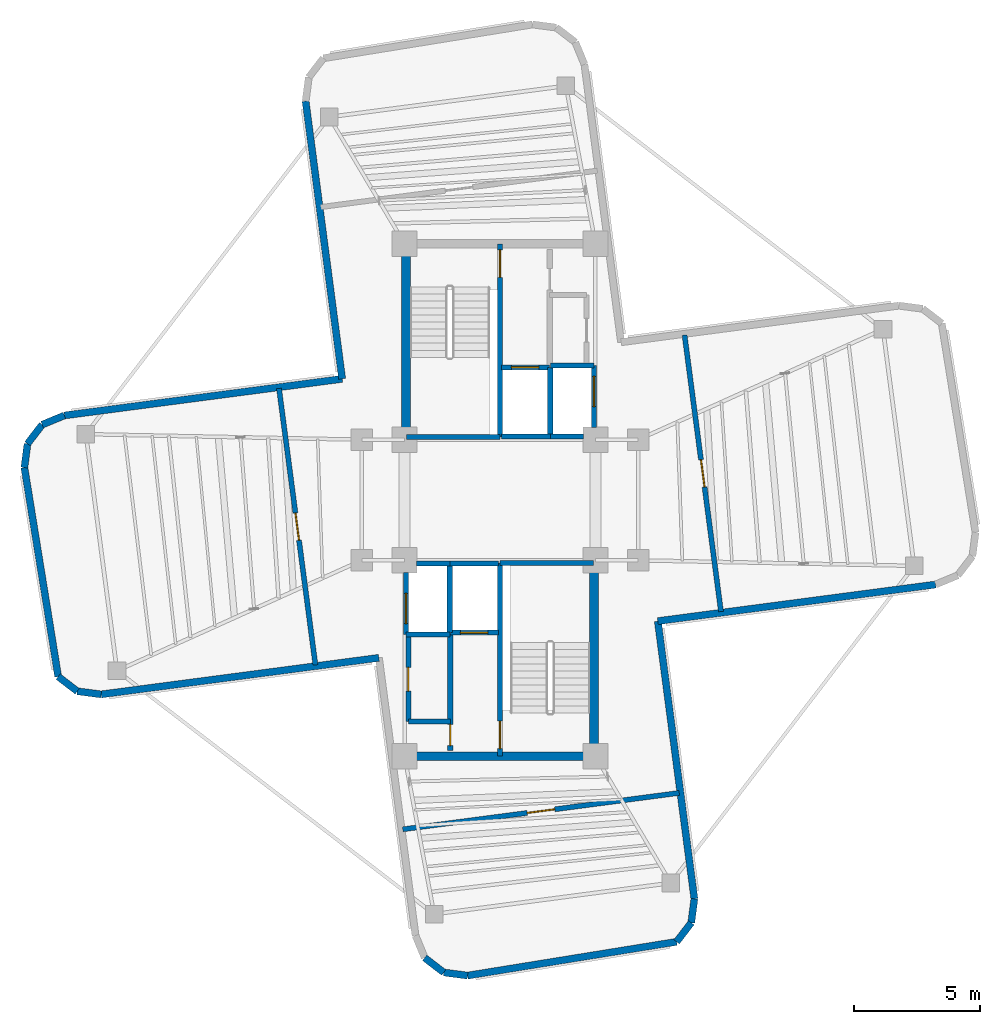
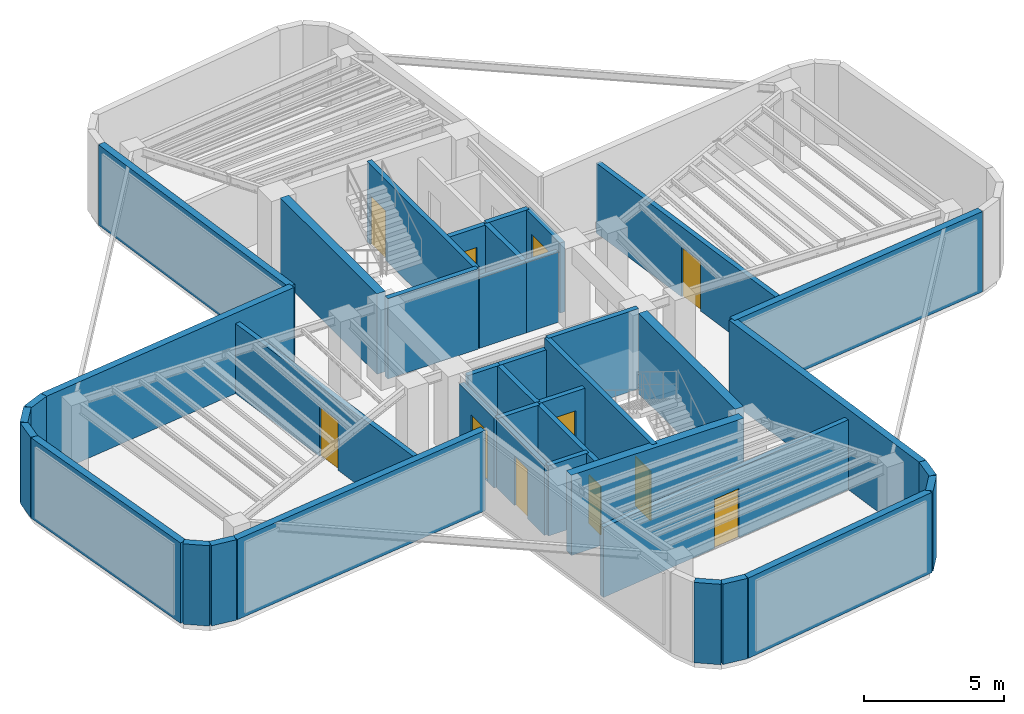
# One storey, part 4 of 6: 41 walls, 11 doors, 11 openings.
"""IFC4 building model written with IfcOpenShell, lengths in metres."""

import ifcopenshell
import ifcopenshell.guid

model = None  # the IFC model being written
_history = None  # IfcOwnerHistory: only IFC2X3 demands one
_inside = {}  # id of a spatial element -> (the spatial element, [elements in it])
_under = {}  # id of a project, library or spatial element -> (it, [spatial elements below it])
_declared = {}  # id of a project -> (the project, [libraries it declares])
_typed = {}  # id of a type object -> (the type object, [elements of that type])
_made_of = {}  # id of a material, layer set ... -> (it, [elements and type objects made of it])


def new_model(schema):
    """Start an empty IFC model of exactly this schema.

    Asked for "IFC4X3", IfcOpenShell would pick the latest addendum, in which some entities
    have other attributes; the version numbers below select the first issue.
    IFC2X3 requires an IfcOwnerHistory on every rooted entity: one is made here for all.
    """
    global model, _history
    if schema == "IFC4X3":
        model = ifcopenshell.file(schema_version=(4, 3, 0, 0))
    else:
        model = ifcopenshell.file(schema=schema)
    _inside.clear()
    _under.clear()
    _declared.clear()
    _typed.clear()
    _made_of.clear()
    _history = None
    if model.schema == "IFC2X3":
        org = make("IfcOrganization", Name="unknown")
        user = make(
            "IfcPersonAndOrganization",
            ThePerson=make("IfcPerson", FamilyName="unknown"),
            TheOrganization=org,
        )
        app = make(
            "IfcApplication",
            ApplicationDeveloper=org,
            Version="unknown",
            ApplicationFullName="unknown",
            ApplicationIdentifier="unknown",
        )
        _history = make(
            "IfcOwnerHistory",
            OwningUser=user,
            OwningApplication=app,
            ChangeAction="ADDED",
            CreationDate=0,
        )
    return model


def make(cls, **values):
    """One entity of the class cls with the attributes given. An attribute that is None is left unset."""
    return model.create_entity(
        cls, **{name: value for name, value in values.items() if value is not None}
    )


def rooted(cls, **values):
    """An entity with a GlobalId (a new one), such as an element, a storey or a relation."""
    return make(cls, GlobalId=ifcopenshell.guid.new(), OwnerHistory=_history, **values)


def si_unit(unit_type, name, prefix=None):
    """IfcSIUnit, for example si_unit("LENGTHUNIT", "METRE", prefix="MILLI")."""
    return make("IfcSIUnit", UnitType=unit_type, Prefix=prefix, Name=name)


def assignment(units):
    """IfcUnitAssignment: the units of a project."""
    return None if units is None else make("IfcUnitAssignment", Units=units)


def point(xyz):
    """IfcCartesianPoint."""
    return None if xyz is None else make("IfcCartesianPoint", Coordinates=xyz)


def direction(xyz):
    """IfcDirection."""
    return None if xyz is None else make("IfcDirection", DirectionRatios=xyz)


def frame(location, z_axis=None, x_axis=None):
    """IfcAxis2Placement3D, a coordinate frame: its origin and axes. An axis left out is left unset."""
    return make(
        "IfcAxis2Placement3D",
        Location=point(location),
        Axis=direction(z_axis),
        RefDirection=direction(x_axis),
    )


def frame_2d(location, x_axis=None):
    """IfcAxis2Placement2D, a coordinate frame in the plane: its origin and x axis."""
    return make(
        "IfcAxis2Placement2D", Location=point(location), RefDirection=direction(x_axis)
    )


def origin():
    """The frame at (0, 0, 0) with its axes left unset."""
    return frame((0.0, 0.0, 0.0))


def origin_2d():
    """The frame at (0, 0) in the plane with its x axis left unset."""
    return frame_2d((0.0, 0.0))


def place(relative_to, where):
    """IfcLocalPlacement: puts the frame where relative to a parent placement (None: the world)."""
    return make(
        "IfcLocalPlacement", PlacementRelTo=relative_to, RelativePlacement=where
    )


def context(
    kind, dimensions, precision=None, world=None, true_north=None, identifier=None
):
    """IfcGeometricRepresentationContext, for example the 3D "Model" context."""
    return make(
        "IfcGeometricRepresentationContext",
        ContextIdentifier=identifier,
        ContextType=kind,
        CoordinateSpaceDimension=dimensions,
        Precision=precision,
        WorldCoordinateSystem=world,
        TrueNorth=true_north,
    )


def subcontext(parent, identifier, kind, view, scale=None):
    """IfcGeometricRepresentationSubContext, for example "Body" below "Model"."""
    return make(
        "IfcGeometricRepresentationSubContext",
        ContextIdentifier=identifier,
        ContextType=kind,
        ParentContext=parent,
        TargetScale=scale,
        TargetView=view,
    )


def project(units=None, contexts=None):
    """IfcProject with its units and contexts."""
    return rooted(
        "IfcProject",
        Name="project",
        RepresentationContexts=contexts,
        UnitsInContext=assignment(units),
    )


def spatial(cls, under=None, at=None, **own):
    """A site, building, storey or space (cls), placed at a placement, below another one or the project."""
    s = rooted(cls, ObjectPlacement=at, **own)
    if under is not None:
        _under.setdefault(under.id(), (under, []))[1].append(s)
    return s


def profile(cls, at=None, kind="AREA", **sizes):
    """A parametric profile (cls). Its sizes go by their IFC names, for example OverallWidth=200.0."""
    return make(cls, ProfileType=kind, Position=at, **sizes)


def rectangle(**sizes):
    """IfcRectangleProfileDef."""
    return profile("IfcRectangleProfileDef", **sizes)


def extrude(swept, where, along, depth):
    """IfcExtrudedAreaSolid: the profile swept, set in the frame where, extruded along a direction by depth."""
    return make(
        "IfcExtrudedAreaSolid",
        SweptArea=swept,
        Position=where,
        ExtrudedDirection=direction(along),
        Depth=depth,
    )


def shape(context_of_items, identifier, shape_type, items):
    """IfcShapeRepresentation: the items that make up one representation, for example the "Body"."""
    return make(
        "IfcShapeRepresentation",
        ContextOfItems=context_of_items,
        RepresentationIdentifier=identifier,
        RepresentationType=shape_type,
        Items=items,
    )


def source(mapping_origin, context_of_items, identifier, shape_type, items):
    """IfcRepresentationMap: a shape defined once, which mapped items show again and again."""
    return make(
        "IfcRepresentationMap",
        MappingOrigin=mapping_origin,
        MappedRepresentation=shape(context_of_items, identifier, shape_type, items),
    )


def transform(
    local_origin,
    x_axis=None,
    y_axis=None,
    z_axis=None,
    scale=None,
    scale2=None,
    scale3=None,
    uniform=True,
):
    """IfcCartesianTransformationOperator3D, or its non-uniform kind. x_axis, y_axis, z_axis: its Axis1, 2, 3."""
    if uniform:
        return make(
            "IfcCartesianTransformationOperator3D",
            Axis1=direction(x_axis),
            Axis2=direction(y_axis),
            LocalOrigin=point(local_origin),
            Scale=scale,
            Axis3=direction(z_axis),
        )
    return make(
        "IfcCartesianTransformationOperator3DnonUniform",
        Axis1=direction(x_axis),
        Axis2=direction(y_axis),
        LocalOrigin=point(local_origin),
        Scale=scale,
        Axis3=direction(z_axis),
        Scale2=scale2,
        Scale3=scale3,
    )


def mapped(mapping_source, mapping_target):
    """IfcMappedItem: shows the shape of a source again, moved by a transform."""
    return make(
        "IfcMappedItem", MappingSource=mapping_source, MappingTarget=mapping_target
    )


def material(Name=None, Category=None):
    """IfcMaterial."""
    return make("IfcMaterial", Name=Name, Category=Category)


def layer(
    of_material, thickness, ventilated=None, Name=None, Category=None, Priority=None
):
    """IfcMaterialLayer: one layer of a wall or slab, of a material (None: an air gap)."""
    return make(
        "IfcMaterialLayer",
        Material=of_material,
        LayerThickness=thickness,
        IsVentilated=ventilated,
        Name=Name,
        Category=Category,
        Priority=Priority,
    )


def layer_set(layers, Name=None):
    """IfcMaterialLayerSet."""
    return make("IfcMaterialLayerSet", MaterialLayers=layers, LayerSetName=Name)


def made_of(thing, what):
    """Note that an element or type object is made of a material, layer set ...; save() writes the relation."""
    if what is not None:
        _made_of.setdefault(what.id(), (what, []))[1].append(thing)
    return thing


def type_object(cls, material=None, **own):
    """A type object (cls), such as IfcWallType, which elements share."""
    return made_of(rooted(cls, **own), material)


def element(
    cls,
    number,
    at=None,
    inside=None,
    cuts=None,
    type_object=None,
    material=None,
    context=None,
    identifier="Body",
    shape_type=None,
    held_by="IfcProductDefinitionShape",
    body=None,
    shapes=None,
    **own,
):
    """One element of the class cls, such as IfcWall. Its Tag is "e" and its number.

    at: its placement. inside: the storey or other place that contains it. cuts: it is an
    opening in that element (IfcRelVoidsElement). A single representation is given by context,
    identifier, shape_type and body (its items); several are given by shapes. held_by: the class
    of the entity that holds the representations. save() writes the other relations.
    """
    e = rooted(cls, Tag="e%d" % number, ObjectPlacement=at, **own)
    if body is not None:
        shapes = [shape(context, identifier, shape_type, body)]
    if shapes is not None:
        e.Representation = make(held_by, Representations=shapes)
    if inside is not None:
        _inside.setdefault(inside.id(), (inside, []))[1].append(e)
    if cuts is not None:
        rooted(
            "IfcRelVoidsElement", RelatingBuildingElement=cuts, RelatedOpeningElement=e
        )
    if type_object is not None:
        _typed.setdefault(type_object.id(), (type_object, []))[1].append(e)
    return made_of(e, material)


def fill(opening, filler):
    """IfcRelFillsElement: the door or window that sits in an opening."""
    return rooted(
        "IfcRelFillsElement",
        RelatingOpeningElement=opening,
        RelatedBuildingElement=filler,
    )


def aggregate(whole, parts):
    """IfcRelAggregates: a whole, such as a stair, and the parts it consists of."""
    return rooted("IfcRelAggregates", RelatingObject=whole, RelatedObjects=parts)


def save(model, path):
    """Write the relations noted so far, then the file.

    IfcRelAggregates (storeys below a building ...), IfcRelContainedInSpatialStructure (elements
    in a storey), IfcRelDefinesByType, IfcRelAssociatesMaterial and IfcRelDeclares: one each for
    every whole, place, type object, material and project.
    """
    for whole, parts in _under.values():
        aggregate(whole, parts)
    for where, things in _inside.values():
        rooted(
            "IfcRelContainedInSpatialStructure",
            RelatedElements=things,
            RelatingStructure=where,
        )
    for kind, things in _typed.values():
        rooted("IfcRelDefinesByType", RelatedObjects=things, RelatingType=kind)
    for what, things in _made_of.values():
        rooted("IfcRelAssociatesMaterial", RelatedObjects=things, RelatingMaterial=what)
    for by, libraries in _declared.values():
        rooted("IfcRelDeclares", RelatingContext=by, RelatedDefinitions=libraries)
    model.write(path)


model = new_model("IFC4")

# Units and contexts
model_context = context("Model", 3, precision=1e-05, world=origin(), true_north=direction((0.0, 1.0)))
body_context = subcontext(model_context, "Body", "Model", "MODEL_VIEW")
ifc_project = project(units=[si_unit("LENGTHUNIT", "METRE"), si_unit("AREAUNIT", "SQUARE_METRE"), si_unit("VOLUMEUNIT", "CUBIC_METRE"), si_unit("PLANEANGLEUNIT", "RADIAN"), si_unit("MASSUNIT", "GRAM", prefix="KILO")], contexts=[model_context])

# Site, building, storey
site_placement = place(None, origin())
site = spatial("IfcSite", under=ifc_project, at=site_placement, CompositionType="ELEMENT")
building_placement = place(site_placement, origin())
building = spatial("IfcBuilding", under=site, at=building_placement, Name="Sahyath Konkavel Grand Hotel", CompositionType="ELEMENT")
storey_placement = place(building_placement, frame((0.0, 0.0, 285.10009765625)))
storey = spatial("IfcBuildingStorey", under=building, at=storey_placement, Name="L79", CompositionType="ELEMENT", Elevation=285.10009765625)

# Walls
ifc_material_1 = material(Name="Concrete C40/50", Category="concrete")
ifc_layer_1 = layer(ifc_material_1, 0.35009765625)
ifc_layer_set_1 = layer_set([ifc_layer_1], Name="Concrete C40/50")
wall_type_1 = type_object("IfcWallType", Name="CWALL-350", PredefinedType="SHEAR", material=ifc_layer_set_1)
wall_1_placement = place(storey_placement, frame((-3.739990234375, 2.85009765625, 0.0), z_axis=(0.0, 0.0, 1.0), x_axis=(0.0, 1.0, 0.0)))
element("IfcWall", 1, at=wall_1_placement, inside=storey, type_object=wall_type_1, Name="L79 North Core Shear Wall W", PredefinedType="SHEAR", context=body_context, shape_type="SweptSolid", body=[
    extrude(rectangle(XDim=6.89990234375, YDim=0.35009765625, at=frame_2d((3.449951171875, 0.0))), origin(), (0.0, 0.0, 1.0), 3.5),
])
wall_2_placement = place(storey_placement, frame((-3.550048828125, -10.199951171875, 0.0), z_axis=(0.0, 0.0, 1.0), x_axis=(1.0, 0.0, 0.0)))
element("IfcWall", 2, at=wall_2_placement, inside=storey, type_object=wall_type_1, Name="L79 South Core Shear Wall S", PredefinedType="SHEAR", context=body_context, shape_type="SweptSolid", body=[
    extrude(rectangle(XDim=7.10009765625, YDim=0.35009765625, at=frame_2d((3.550048828125, 0.0))), origin(), (0.0, 0.0, 1.0), 3.5),
])
wall_3_placement = place(storey_placement, frame((3.739990234375, -9.75, 0.0), z_axis=(0.0, 0.0, 1.0), x_axis=(0.0, 1.0, 0.0)))
element("IfcWall", 3, at=wall_3_placement, inside=storey, type_object=wall_type_1, Name="L79 South Core Shear Wall E", PredefinedType="SHEAR", context=body_context, shape_type="SweptSolid", body=[
    extrude(rectangle(XDim=6.89990234375, YDim=0.35009765625, at=frame_2d((3.449951171875, 0.0))), origin(), (0.0, 0.0, 1.0), 3.5),
])

# Wall, opening, door
ifc_layer_2 = layer(ifc_material_1, 0.199951171875)
ifc_layer_set_2 = layer_set([ifc_layer_2], Name="Concrete C40/50")
wall_type_2 = type_object("IfcWallType", Name="WLL-CORE-200", PredefinedType="SOLIDWALL", material=ifc_layer_set_2)
wall_4_placement = place(storey_placement, frame((0.0, 2.5, 0.0), z_axis=(0.0, 0.0, 1.0), x_axis=(0.0, 1.0, 0.0)))
wall_4 = element("IfcWall", 4, at=wall_4_placement, inside=storey, type_object=wall_type_2, Name="L79 Stair ST-1 Shaft Wall E", PredefinedType="SOLIDWALL", context=body_context, shape_type="SweptSolid", body=[
    extrude(rectangle(XDim=7.679931640625, YDim=0.199951171875, at=frame_2d((3.83984375, 0.0))), origin(), (0.0, 0.0, 1.0), 3.5),
])
opening_1_placement = place(wall_4_placement, frame((6.360107421875, 0.0, 0.0)))
opening_1 = element("IfcOpeningElement", 5, at=opening_1_placement, cuts=wall_4, Name="Opening D-F12B", PredefinedType="OPENING", context=body_context, shape_type="SweptSolid", body=[
    extrude(rectangle(XDim=1.10009765625, YDim=2.14990234375, at=frame_2d((0.550048828125, 1.074951171875))), frame((0.0, 0.10986328125, 0.0), z_axis=(0.0, -1.0, 0.0), x_axis=(1.0, 0.0, 0.0)), (0.0, 0.0, 1.0), 0.219970703125),
])
ifc_material_2 = material(Name="Steel E350 Smokeproof Fire Door", Category="steel")
door_type_1 = type_object("IfcDoorType", Name="DR-FD120-1100", OperationType="NOTDEFINED", PredefinedType="DOOR", material=ifc_material_2)
shared_shape_1 = source(origin(), body_context, "Body", "SweptSolid", [
    extrude(rectangle(XDim=1.10009765625, YDim=0.050048828125, at=origin_2d()), origin(), (0.0, 0.0, 1.0), 2.14990234375),
])
door_1_placement = place(opening_1_placement, frame((0.550048828125, 0.0, 0.0)))
door_1 = element("IfcDoor", 6, at=door_1_placement, inside=storey, type_object=door_type_1, Name="L79 Stair ST-1 Fire Door", OperationType="SINGLE_SWING_LEFT", OverallHeight=2.14990234375, OverallWidth=1.10009765625, PredefinedType="DOOR", context=body_context, shape_type="MappedRepresentation", body=[
    mapped(shared_shape_1, transform((0.0, 0.0, 0.0), scale=1.0)),
])
fill(opening_1, door_1)

# Wall
wall_5_placement = place(storey_placement, frame((-3.719970703125, 2.5, 0.0), z_axis=(0.0, 0.0, 1.0), x_axis=(1.0, 0.0, 0.0)))
element("IfcWall", 7, at=wall_5_placement, inside=storey, type_object=wall_type_2, Name="L79 Stair ST-1 Shaft Wall S", PredefinedType="SOLIDWALL", context=body_context, shape_type="SweptSolid", body=[
    extrude(rectangle(XDim=3.719970703125, YDim=0.199951171875, at=frame_2d((1.85986328125, 0.0))), origin(), (0.0, 0.0, 1.0), 3.5),
])

# Wall, opening, door
wall_6_placement = place(storey_placement, frame((0.0, -10.179931640625, 0.0), z_axis=(0.0, 0.0, 1.0), x_axis=(0.0, 1.0, 0.0)))
wall_6 = element("IfcWall", 8, at=wall_6_placement, inside=storey, type_object=wall_type_2, Name="L79 Stair ST-2 Shaft Wall W", PredefinedType="SOLIDWALL", context=body_context, shape_type="SweptSolid", body=[
    extrude(rectangle(XDim=7.679931640625, YDim=0.199951171875, at=frame_2d((3.83984375, 0.0))), origin(), (0.0, 0.0, 1.0), 3.5),
])
opening_2_placement = place(wall_6_placement, frame((0.280029296875, 0.0, 0.0)))
opening_2 = element("IfcOpeningElement", 9, at=opening_2_placement, cuts=wall_6, Name="Opening D-F12B", PredefinedType="OPENING", context=body_context, shape_type="SweptSolid", body=[
    extrude(rectangle(XDim=1.10009765625, YDim=2.14990234375, at=frame_2d((0.550048828125, 1.074951171875))), frame((0.0, 0.10986328125, 0.0), z_axis=(0.0, -1.0, 0.0), x_axis=(1.0, 0.0, 0.0)), (0.0, 0.0, 1.0), 0.219970703125),
])
door_2_placement = place(opening_2_placement, frame((0.550048828125, 0.0, 0.0)))
door_2 = element("IfcDoor", 10, at=door_2_placement, inside=storey, type_object=door_type_1, Name="L79 Stair ST-2 Fire Door", OperationType="SINGLE_SWING_RIGHT", OverallHeight=2.14990234375, OverallWidth=1.10009765625, PredefinedType="DOOR", context=body_context, shape_type="MappedRepresentation", body=[
    mapped(shared_shape_1, transform((0.0, 0.0, 0.0), scale=1.0)),
])
fill(opening_2, door_2)

# Wall
wall_7_placement = place(storey_placement, frame((0.0, -2.5, 0.0), z_axis=(0.0, 0.0, 1.0), x_axis=(1.0, 0.0, 0.0)))
element("IfcWall", 11, at=wall_7_placement, inside=storey, type_object=wall_type_2, Name="L79 Stair ST-2 Shaft Wall N", PredefinedType="SOLIDWALL", context=body_context, shape_type="SweptSolid", body=[
    extrude(rectangle(XDim=3.719970703125, YDim=0.199951171875, at=frame_2d((1.85986328125, 0.0))), origin(), (0.0, 0.0, 1.0), 3.5),
])

# Wall, opening, door
wall_8_placement = place(storey_placement, frame((-1.97998046875, -9.97998046875, 0.0), z_axis=(0.0, 0.0, 1.0), x_axis=(0.0, 1.0, 0.0)))
wall_8 = element("IfcWall", 12, at=wall_8_placement, inside=storey, type_object=wall_type_2, Name="L79 South Firefighting Lobby Wall W", PredefinedType="SOLIDWALL", context=body_context, shape_type="SweptSolid", body=[
    extrude(rectangle(XDim=4.659912109375, YDim=0.199951171875, at=frame_2d((2.330078125, 0.0))), origin(), (0.0, 0.0, 1.0), 3.0498046875),
])
opening_3_placement = place(wall_8_placement, frame((0.199951171875, 0.0, 0.0)))
opening_3 = element("IfcOpeningElement", 13, at=opening_3_placement, cuts=wall_8, Name="Opening D-F12D", PredefinedType="OPENING", context=body_context, shape_type="SweptSolid", body=[
    extrude(rectangle(XDim=0.85009765625, YDim=2.10009765625, at=frame_2d((0.425048828125, 1.050048828125))), frame((0.0, 0.10986328125, 0.0), z_axis=(0.0, -1.0, 0.0), x_axis=(1.0, 0.0, 0.0)), (0.0, 0.0, 1.0), 0.219970703125),
])
ifc_material_3 = material(Name="Steel E350 Core Fire Door", Category="steel")
door_type_2 = type_object("IfcDoorType", Name="DR-FD120-850", OperationType="NOTDEFINED", PredefinedType="DOOR", material=ifc_material_3)
shared_shape_2 = source(origin(), body_context, "Body", "SweptSolid", [
    extrude(rectangle(XDim=0.85009765625, YDim=0.050048828125, at=origin_2d()), origin(), (0.0, 0.0, 1.0), 2.10009765625),
])
door_3_placement = place(opening_3_placement, frame((0.425048828125, 0.0, 0.0)))
door_3 = element("IfcDoor", 14, at=door_3_placement, inside=storey, type_object=door_type_2, Name="L79 South Firefighting Lobby Door", OperationType="SINGLE_SWING_RIGHT", OverallHeight=2.10009765625, OverallWidth=0.85009765625, PredefinedType="DOOR", context=body_context, shape_type="MappedRepresentation", body=[
    mapped(shared_shape_2, transform((0.0, 0.0, 0.0), scale=1.0)),
])
fill(opening_3, door_3)

# Walls
wall_9_placement = place(storey_placement, frame((2.0, 2.5, 0.0), z_axis=(0.0, 0.0, 1.0), x_axis=(0.0, 1.0, 0.0)))
element("IfcWall", 15, at=wall_9_placement, inside=storey, type_object=wall_type_2, Name="L79 Partition SH-FFL1-E", PredefinedType="SOLIDWALL", context=body_context, shape_type="SweptSolid", body=[
    extrude(rectangle(XDim=2.780029296875, YDim=0.199951171875, at=frame_2d((1.39013671875, 0.0))), origin(), (0.0, 0.0, 1.0), 3.0498046875),
])
wall_10_placement = place(storey_placement, frame((0.050048828125, 2.52001953125, 0.0), z_axis=(0.0, 0.0, 1.0), x_axis=(1.0, 0.0, 0.0)))
element("IfcWall", 16, at=wall_10_placement, inside=storey, type_object=wall_type_2, Name="L79 Partition SH-FFL1-S", PredefinedType="SOLIDWALL", context=body_context, shape_type="SweptSolid", body=[
    extrude(rectangle(XDim=1.949951171875, YDim=0.199951171875, at=frame_2d((0.97509765625, 0.0))), origin(), (0.0, 0.0, 1.0), 3.0498046875),
])

# Wall, opening, door
wall_11_placement = place(storey_placement, frame((0.050048828125, 5.280029296875, 0.0), z_axis=(0.0, 0.0, 1.0), x_axis=(1.0, 0.0, 0.0)))
wall_11 = element("IfcWall", 17, at=wall_11_placement, inside=storey, type_object=wall_type_2, Name="L79 Partition SH-FFL1-N", PredefinedType="SOLIDWALL", context=body_context, shape_type="SweptSolid", body=[
    extrude(rectangle(XDim=1.929931640625, YDim=0.199951171875, at=frame_2d((0.96484375, 0.0))), origin(), (0.0, 0.0, 1.0), 3.0498046875),
])
opening_4_placement = place(wall_11_placement, frame((0.39990234375, 0.0, 0.0)))
opening_4 = element("IfcOpeningElement", 18, at=opening_4_placement, cuts=wall_11, Name="Opening LD-11", PredefinedType="OPENING", context=body_context, shape_type="SweptSolid", body=[
    extrude(rectangle(XDim=1.10009765625, YDim=2.199951171875, at=frame_2d((0.550048828125, 1.10009765625))), frame((0.0, 0.10986328125, 0.0), z_axis=(0.0, -1.0, 0.0), x_axis=(1.0, 0.0, 0.0)), (0.0, 0.0, 1.0), 0.219970703125),
])
ifc_material_4 = material(Name="Bronze Lift Landing Door 1100")
door_type_3 = type_object("IfcDoorType", Name="DR-LIFT-1100", OperationType="DOUBLE_DOOR_SLIDING", PredefinedType="DOOR", material=ifc_material_4)
shared_shape_3 = source(origin(), body_context, "Body", "SweptSolid", [
    extrude(rectangle(XDim=1.10009765625, YDim=0.050048828125, at=origin_2d()), origin(), (0.0, 0.0, 1.0), 2.199951171875),
])
door_4_placement = place(opening_4_placement, frame((0.550048828125, 0.0, 0.0)))
door_4 = element("IfcDoor", 19, at=door_4_placement, inside=storey, type_object=door_type_3, Name="L79 Lift FFL-1 Landing Door", OperationType="DOUBLE_DOOR_SLIDING", OverallHeight=2.199951171875, OverallWidth=1.10009765625, PredefinedType="DOOR", context=body_context, shape_type="MappedRepresentation", body=[
    mapped(shared_shape_3, transform((0.0, 0.0, 0.0), scale=1.0)),
])
fill(opening_4, door_4)

# Walls
wall_12_placement = place(storey_placement, frame((-2.0, -5.280029296875, 0.0), z_axis=(0.0, 0.0, 1.0), x_axis=(0.0, 1.0, 0.0)))
element("IfcWall", 20, at=wall_12_placement, inside=storey, type_object=wall_type_2, Name="L79 Partition SH-FFL2-W", PredefinedType="SOLIDWALL", context=body_context, shape_type="SweptSolid", body=[
    extrude(rectangle(XDim=2.780029296875, YDim=0.199951171875, at=frame_2d((1.39013671875, 0.0))), origin(), (0.0, 0.0, 1.0), 3.0498046875),
])
wall_13_placement = place(storey_placement, frame((-2.0, -2.52001953125, 0.0), z_axis=(0.0, 0.0, 1.0), x_axis=(1.0, 0.0, 0.0)))
element("IfcWall", 21, at=wall_13_placement, inside=storey, type_object=wall_type_2, Name="L79 Partition SH-FFL2-N", PredefinedType="SOLIDWALL", context=body_context, shape_type="SweptSolid", body=[
    extrude(rectangle(XDim=1.949951171875, YDim=0.199951171875, at=frame_2d((0.97509765625, 0.0))), origin(), (0.0, 0.0, 1.0), 3.0498046875),
])

# Wall, opening, door
wall_14_placement = place(storey_placement, frame((-1.97998046875, -5.280029296875, 0.0), z_axis=(0.0, 0.0, 1.0), x_axis=(1.0, 0.0, 0.0)))
wall_14 = element("IfcWall", 22, at=wall_14_placement, inside=storey, type_object=wall_type_2, Name="L79 Partition SH-FFL2-S", PredefinedType="SOLIDWALL", context=body_context, shape_type="SweptSolid", body=[
    extrude(rectangle(XDim=1.929931640625, YDim=0.199951171875, at=frame_2d((0.96484375, 0.0))), origin(), (0.0, 0.0, 1.0), 3.0498046875),
])
opening_5_placement = place(wall_14_placement, frame((0.39990234375, 0.0, 0.0)))
opening_5 = element("IfcOpeningElement", 23, at=opening_5_placement, cuts=wall_14, Name="Opening LD-11", PredefinedType="OPENING", context=body_context, shape_type="SweptSolid", body=[
    extrude(rectangle(XDim=1.10009765625, YDim=2.199951171875, at=frame_2d((0.550048828125, 1.10009765625))), frame((0.0, 0.10986328125, 0.0), z_axis=(0.0, -1.0, 0.0), x_axis=(1.0, 0.0, 0.0)), (0.0, 0.0, 1.0), 0.219970703125),
])
door_5_placement = place(opening_5_placement, frame((0.550048828125, 0.0, 0.0)))
door_5 = element("IfcDoor", 24, at=door_5_placement, inside=storey, type_object=door_type_3, Name="L79 Lift FFL-2 Landing Door", OperationType="DOUBLE_DOOR_SLIDING", OverallHeight=2.199951171875, OverallWidth=1.10009765625, PredefinedType="DOOR", context=body_context, shape_type="MappedRepresentation", body=[
    mapped(shared_shape_3, transform((0.0, 0.0, 0.0), scale=1.0)),
])
fill(opening_5, door_5)

# Walls
wall_15_placement = place(storey_placement, frame((2.0, 2.52001953125, 0.0), z_axis=(0.0, 0.0, 1.0), x_axis=(1.0, 0.0, 0.0)))
element("IfcWall", 25, at=wall_15_placement, inside=storey, type_object=wall_type_2, Name="L79 Partition SH-SVL1-S", PredefinedType="SOLIDWALL", context=body_context, shape_type="SweptSolid", body=[
    extrude(rectangle(XDim=1.320068359375, YDim=0.199951171875, at=frame_2d((0.66015625, 0.0))), origin(), (0.0, 0.0, 1.0), 3.0498046875),
])
wall_16_placement = place(storey_placement, frame((2.0, 5.360107421875, 0.0), z_axis=(0.0, 0.0, 1.0), x_axis=(1.0, 0.0, 0.0)))
element("IfcWall", 26, at=wall_16_placement, inside=storey, type_object=wall_type_2, Name="L79 Partition SH-SVL1-N", PredefinedType="SOLIDWALL", context=body_context, shape_type="SweptSolid", body=[
    extrude(rectangle(XDim=1.739990234375, YDim=0.199951171875, at=frame_2d((0.8701171875, 0.0))), origin(), (0.0, 0.0, 1.0), 3.0498046875),
])

# Wall, opening, door
wall_17_placement = place(storey_placement, frame((3.739990234375, 2.8798828125, 0.0), z_axis=(0.0, 0.0, 1.0), x_axis=(0.0, 1.0, 0.0)))
wall_17 = element("IfcWall", 27, at=wall_17_placement, inside=storey, type_object=wall_type_2, Name="L79 Partition SH-SVL1-E", PredefinedType="SOLIDWALL", context=body_context, shape_type="SweptSolid", body=[
    extrude(rectangle(XDim=2.480224609375, YDim=0.199951171875, at=frame_2d((1.240234375, 0.0))), origin(), (0.0, 0.0, 1.0), 3.0498046875),
])
opening_6_placement = place(wall_17_placement, frame((0.840087890625, 0.0, 0.0)))
opening_6 = element("IfcOpeningElement", 28, at=opening_6_placement, cuts=wall_17, Name="Opening LD-12", PredefinedType="OPENING", context=body_context, shape_type="SweptSolid", body=[
    extrude(rectangle(XDim=1.199951171875, YDim=2.199951171875, at=frame_2d((0.60009765625, 1.10009765625))), frame((0.0, 0.10986328125, 0.0), z_axis=(0.0, -1.0, 0.0), x_axis=(1.0, 0.0, 0.0)), (0.0, 0.0, 1.0), 0.219970703125),
])
ifc_material_5 = material(Name="Stainless Steel Lift Landing Door 1200", Category="steel")
door_type_4 = type_object("IfcDoorType", Name="DR-LIFT-1200", OperationType="DOUBLE_DOOR_SLIDING", PredefinedType="DOOR", material=ifc_material_5)
shared_shape_4 = source(origin(), body_context, "Body", "SweptSolid", [
    extrude(rectangle(XDim=1.199951171875, YDim=0.050048828125, at=origin_2d()), origin(), (0.0, 0.0, 1.0), 2.199951171875),
])
door_6_placement = place(opening_6_placement, frame((0.60009765625, 0.0, 0.0)))
door_6 = element("IfcDoor", 29, at=door_6_placement, inside=storey, type_object=door_type_4, Name="L79 Service Lift SVL-1 Landing Door", OperationType="DOUBLE_DOOR_SLIDING", OverallHeight=2.199951171875, OverallWidth=1.199951171875, PredefinedType="DOOR", context=body_context, shape_type="MappedRepresentation", body=[
    mapped(shared_shape_4, transform((0.0, 0.0, 0.0), scale=1.0)),
])
fill(opening_6, door_6)

# Walls
wall_18_placement = place(storey_placement, frame((-3.320068359375, -2.52001953125, 0.0), z_axis=(0.0, 0.0, 1.0), x_axis=(1.0, 0.0, 0.0)))
element("IfcWall", 30, at=wall_18_placement, inside=storey, type_object=wall_type_2, Name="L79 Partition SH-SVL2-N", PredefinedType="SOLIDWALL", context=body_context, shape_type="SweptSolid", body=[
    extrude(rectangle(XDim=1.320068359375, YDim=0.199951171875, at=frame_2d((0.66015625, 0.0))), origin(), (0.0, 0.0, 1.0), 3.0498046875),
])
wall_19_placement = place(storey_placement, frame((-3.739990234375, -5.360107421875, 0.0), z_axis=(0.0, 0.0, 1.0), x_axis=(1.0, 0.0, 0.0)))
element("IfcWall", 31, at=wall_19_placement, inside=storey, type_object=wall_type_2, Name="L79 Partition SH-SVL2-S", PredefinedType="SOLIDWALL", context=body_context, shape_type="SweptSolid", body=[
    extrude(rectangle(XDim=1.739990234375, YDim=0.199951171875, at=frame_2d((0.8701171875, 0.0))), origin(), (0.0, 0.0, 1.0), 3.0498046875),
])

# Wall, opening, door
wall_20_placement = place(storey_placement, frame((-3.739990234375, -5.360107421875, 0.0), z_axis=(0.0, 0.0, 1.0), x_axis=(0.0, 1.0, 0.0)))
wall_20 = element("IfcWall", 32, at=wall_20_placement, inside=storey, type_object=wall_type_2, Name="L79 Partition SH-SVL2-W", PredefinedType="SOLIDWALL", context=body_context, shape_type="SweptSolid", body=[
    extrude(rectangle(XDim=2.480224609375, YDim=0.199951171875, at=frame_2d((1.240234375, 0.0))), origin(), (0.0, 0.0, 1.0), 3.0498046875),
])
opening_7_placement = place(wall_20_placement, frame((0.43994140625, 0.0, 0.0)))
opening_7 = element("IfcOpeningElement", 33, at=opening_7_placement, cuts=wall_20, Name="Opening LD-12", PredefinedType="OPENING", context=body_context, shape_type="SweptSolid", body=[
    extrude(rectangle(XDim=1.199951171875, YDim=2.199951171875, at=frame_2d((0.60009765625, 1.10009765625))), frame((0.0, 0.10986328125, 0.0), z_axis=(0.0, -1.0, 0.0), x_axis=(1.0, 0.0, 0.0)), (0.0, 0.0, 1.0), 0.219970703125),
])
door_7_placement = place(opening_7_placement, frame((0.60009765625, 0.0, 0.0)))
door_7 = element("IfcDoor", 34, at=door_7_placement, inside=storey, type_object=door_type_4, Name="L79 Service Lift SVL-2 Landing Door", OperationType="DOUBLE_DOOR_SLIDING", OverallHeight=2.199951171875, OverallWidth=1.199951171875, PredefinedType="DOOR", context=body_context, shape_type="MappedRepresentation", body=[
    mapped(shared_shape_4, transform((0.0, 0.0, 0.0), scale=1.0)),
])
fill(opening_7, door_7)

wall_21_placement = place(storey_placement, frame((-3.64990234375, -8.81005859375, 0.0), z_axis=(0.0, 0.0, 1.0), x_axis=(0.0, 1.0, 0.0)))
wall_21 = element("IfcWall", 35, at=wall_21_placement, inside=storey, type_object=wall_type_2, Name="L79 Reclaimed South Core Wall W", PredefinedType="SOLIDWALL", context=body_context, shape_type="SweptSolid", body=[
    extrude(rectangle(XDim=3.43017578125, YDim=0.199951171875, at=frame_2d((1.715087890625, 0.0))), origin(), (0.0, 0.0, 1.0), 3.0498046875),
])
opening_8_placement = place(wall_21_placement, frame((1.199951171875, 0.0, 0.0)))
opening_8 = element("IfcOpeningElement", 36, at=opening_8_placement, cuts=wall_21, Name="Opening D-AC95", PredefinedType="OPENING", context=body_context, shape_type="SweptSolid", body=[
    extrude(rectangle(XDim=0.949951171875, YDim=2.14990234375, at=frame_2d((0.47509765625, 1.074951171875))), frame((0.0, 0.10986328125, 0.0), z_axis=(0.0, -1.0, 0.0), x_axis=(1.0, 0.0, 0.0)), (0.0, 0.0, 1.0), 0.219970703125),
])
ifc_material_6 = material(Name="Accessible Washroom Timber Door", Category="wood")
door_type_5 = type_object("IfcDoorType", Name="DR-ACC-950", OperationType="NOTDEFINED", PredefinedType="DOOR", material=ifc_material_6)
shared_shape_5 = source(origin(), body_context, "Body", "SweptSolid", [
    extrude(rectangle(XDim=0.949951171875, YDim=0.050048828125, at=origin_2d()), origin(), (0.0, 0.0, 1.0), 2.14990234375),
])
door_8_placement = place(opening_8_placement, frame((0.47509765625, 0.0, 0.0)))
door_8 = element("IfcDoor", 37, at=door_8_placement, inside=storey, type_object=door_type_5, Name="L79 Door SC-REC1-D", OperationType="SINGLE_SWING_RIGHT", OverallHeight=2.14990234375, OverallWidth=0.949951171875, PredefinedType="DOOR", context=body_context, shape_type="MappedRepresentation", body=[
    mapped(shared_shape_5, transform((0.0, 0.0, 0.0), scale=1.0)),
])
fill(opening_8, door_8)

# Wall
wall_22_placement = place(storey_placement, frame((-3.64990234375, -8.81005859375, 0.0), z_axis=(0.0, 0.0, 1.0), x_axis=(1.0, 0.0, 0.0)))
element("IfcWall", 38, at=wall_22_placement, inside=storey, type_object=wall_type_2, Name="L79 Partition SC-REC-S", PredefinedType="SOLIDWALL", context=body_context, shape_type="SweptSolid", body=[
    extrude(rectangle(XDim=1.669921875, YDim=0.199951171875, at=frame_2d((0.8349609375, 0.0))), origin(), (0.0, 0.0, 1.0), 3.0498046875),
])

# Wall, opening, door
wall_23_placement = place(storey_placement, frame((8.794921875, -4.43994140625, 0.0), z_axis=(0.0, 0.0, 1.0), x_axis=(-0.130539856574, 0.991443062332, 0.0)))
wall_23 = element("IfcWall", 39, at=wall_23_placement, inside=storey, type_object=wall_type_2, Name="L79 Partition CP-CTW-IN", PredefinedType="SOLIDWALL", context=body_context, shape_type="SweptSolid", body=[
    extrude(rectangle(XDim=11.099853515625, YDim=0.199951171875, at=frame_2d((5.5498046875, 0.0))), origin(), (0.0, 0.0, 1.0), 3.0498046875),
])
opening_9_placement = place(wall_23_placement, frame((5.0, 0.0, 0.0)))
opening_9 = element("IfcOpeningElement", 40, at=opening_9_placement, cuts=wall_23, Name="Opening D-F12B", PredefinedType="OPENING", context=body_context, shape_type="SweptSolid", body=[
    extrude(rectangle(XDim=1.10009765625, YDim=2.14990234375, at=frame_2d((0.550048828125, 1.074951171875))), frame((0.0, 0.10986328125, 0.0), z_axis=(0.0, -1.0, 0.0), x_axis=(1.0, 0.0, 0.0)), (0.0, 0.0, 1.0), 0.219970703125),
])
door_9_placement = place(opening_9_placement, frame((0.550048828125, 0.0, 0.0)))
door_9 = element("IfcDoor", 41, at=door_9_placement, inside=storey, type_object=door_type_1, Name="L79 Door CP-CTW-D", OperationType="SINGLE_SWING_LEFT", OverallHeight=2.14990234375, OverallWidth=1.10009765625, PredefinedType="DOOR", context=body_context, shape_type="MappedRepresentation", body=[
    mapped(shared_shape_1, transform((0.0, 0.0, 0.0), scale=1.0)),
])
fill(opening_9, door_9)

wall_24_placement = place(storey_placement, frame((-8.794921875, 4.43994140625, 0.0), z_axis=(0.0, 0.0, 1.0), x_axis=(0.130539856574, -0.991443062332, 0.0)))
wall_24 = element("IfcWall", 42, at=wall_24_placement, inside=storey, type_object=wall_type_2, Name="L79 Partition CP-FWT-IN", PredefinedType="SOLIDWALL", context=body_context, shape_type="SweptSolid", body=[
    extrude(rectangle(XDim=11.099853515625, YDim=0.199951171875, at=frame_2d((5.5498046875, 0.0))), origin(), (0.0, 0.0, 1.0), 3.0498046875),
])
opening_10_placement = place(wall_24_placement, frame((5.0, 0.0, 0.0)))
opening_10 = element("IfcOpeningElement", 43, at=opening_10_placement, cuts=wall_24, Name="Opening D-F12B", PredefinedType="OPENING", context=body_context, shape_type="SweptSolid", body=[
    extrude(rectangle(XDim=1.10009765625, YDim=2.14990234375, at=frame_2d((0.550048828125, 1.074951171875))), frame((0.0, 0.10986328125, 0.0), z_axis=(0.0, -1.0, 0.0), x_axis=(1.0, 0.0, 0.0)), (0.0, 0.0, 1.0), 0.219970703125),
])
door_10_placement = place(opening_10_placement, frame((0.550048828125, 0.0, 0.0)))
door_10 = element("IfcDoor", 44, at=door_10_placement, inside=storey, type_object=door_type_1, Name="L79 Door CP-FWT-D", OperationType="SINGLE_SWING_RIGHT", OverallHeight=2.14990234375, OverallWidth=1.10009765625, PredefinedType="DOOR", context=body_context, shape_type="MappedRepresentation", body=[
    mapped(shared_shape_1, transform((0.0, 0.0, 0.0), scale=1.0)),
])
fill(opening_10, door_10)

wall_25_placement = place(storey_placement, frame((-3.872314453125, -13.107666015625, 0.0), z_axis=(0.0, 0.0, 1.0), x_axis=(0.991443437127, 0.130537009991, 0.0)))
wall_25 = element("IfcWall", 45, at=wall_25_placement, inside=storey, type_object=wall_type_2, Name="L79 Partition CP-SWG-IN", PredefinedType="SOLIDWALL", context=body_context, shape_type="SweptSolid", body=[
    extrude(rectangle(XDim=11.10009765625, YDim=0.199951171875, at=frame_2d((5.550048828125, 0.0))), origin(), (0.0, 0.0, 1.0), 3.0498046875),
])
opening_11_placement = place(wall_25_placement, frame((5.0, 0.0, 0.0)))
opening_11 = element("IfcOpeningElement", 46, at=opening_11_placement, cuts=wall_25, Name="Opening D-F12B", PredefinedType="OPENING", context=body_context, shape_type="SweptSolid", body=[
    extrude(rectangle(XDim=1.10009765625, YDim=2.14990234375, at=frame_2d((0.550048828125, 1.074951171875))), frame((0.0, 0.10986328125, 0.0), z_axis=(0.0, -1.0, 0.0), x_axis=(1.0, 0.0, 0.0)), (0.0, 0.0, 1.0), 0.219970703125),
])
door_11_placement = place(opening_11_placement, frame((0.550048828125, 0.0, 0.0)))
door_11 = element("IfcDoor", 47, at=door_11_placement, inside=storey, type_object=door_type_1, Name="L79 Door CP-SWG-D", OperationType="SINGLE_SWING_RIGHT", OverallHeight=2.14990234375, OverallWidth=1.10009765625, PredefinedType="DOOR", context=body_context, shape_type="MappedRepresentation", body=[
    mapped(shared_shape_1, transform((0.0, 0.0, 0.0), scale=1.0)),
])
fill(opening_11, door_11)

# Walls
ifc_material_7 = material(Name="Warm Buff Sandstone Insulated Concrete C40/50", Category="masonry")
ifc_layer_3 = layer(ifc_material_7, 0.280029296875)
ifc_layer_set_3 = layer_set([ifc_layer_3], Name="Warm Buff Sandstone Insulated Concrete C40/50")
wall_type_3 = type_object("IfcWallType", Name="WLL-CROWN-CLAD", PredefinedType="SOLIDWALL", material=ifc_layer_set_3)
for number, where, z_axis, x_axis, name in (
    (48, (6.282958984375, -4.821044921875, 0.0), (0.0, 0.0, 1.0), (0.991445499165, 0.130521347626, 0.0), "L79 Crown Sandstone & Acoustic Louvre Wall 0"),
    (49, (-7.73828125, 15.875732421875, 0.0), (0.0, 0.0, 1.0), (0.130521347626, -0.991445499165, 0.0), "L79 Crown Sandstone & Acoustic Louvre Wall 15"),
    (50, (-6.282958984375, 4.821044921875, 0.0), (0.0, 0.0, 1.0), (-0.991445499165, -0.130521347626, 0.0), "L79 Crown Sandstone & Acoustic Louvre Wall 16"),
):
    element("IfcWall", number, at=place(storey_placement, frame(where, z_axis=z_axis, x_axis=x_axis)), inside=storey, type_object=wall_type_3, Name=name, PredefinedType="SOLIDWALL", context=body_context, shape_type="SweptSolid", body=[
        extrude(rectangle(XDim=11.150146484375, YDim=0.280029296875, at=frame_2d((5.5751953125, 0.0))), origin(), (0.0, 0.0, 1.0), 3.5),
    ])
for number, where, z_axis, x_axis, name in (
    (51, (-17.337646484375, 3.36572265625, 0.0), (0.0, 0.0, 1.0), (-0.923889442397, -0.382659506909, 0.0), "L79 Crown Sandstone & Acoustic Louvre Wall 17"),
    (52, (-18.222412109375, 2.999267578125, 0.0), (0.0, 0.0, 1.0), (-0.608774010809, -0.793343685778, 0.0), "L79 Crown Sandstone & Acoustic Louvre Wall 18"),
    (53, (-18.805419921875, 2.239501953125, 0.0), (0.0, 0.0, 1.0), (-0.130527053476, -0.991444747987, 0.0), "L79 Crown Sandstone & Acoustic Louvre Wall 19"),
):
    element("IfcWall", number, at=place(storey_placement, frame(where, z_axis=z_axis, x_axis=x_axis)), inside=storey, type_object=wall_type_3, Name=name, PredefinedType="SOLIDWALL", context=body_context, shape_type="SweptSolid", body=[
        extrude(rectangle(XDim=0.957763671875, YDim=0.280029296875, at=frame_2d((0.47900390625, 0.0))), origin(), (0.0, 0.0, 1.0), 3.5),
    ])
wall_26_placement = place(storey_placement, frame((-18.930419921875, 1.2900390625, 0.0), z_axis=(0.0, 0.0, 1.0), x_axis=(0.159629483961, -0.987176999251, 0.0)))
element("IfcWall", 54, at=wall_26_placement, inside=storey, type_object=wall_type_3, Name="L79 Crown Sandstone & Acoustic Louvre Wall 20", PredefinedType="SOLIDWALL", context=body_context, shape_type="SweptSolid", body=[
    extrude(rectangle(XDim=8.4287109375, YDim=0.280029296875, at=frame_2d((4.21435546875, 0.0))), origin(), (0.0, 0.0, 1.0), 3.5),
])
wall_27_placement = place(storey_placement, frame((-17.5849609375, -7.030517578125, 0.0), z_axis=(0.0, 0.0, 1.0), x_axis=(0.793466811674, -0.60861352168, 0.0)))
element("IfcWall", 55, at=wall_27_placement, inside=storey, type_object=wall_type_3, Name="L79 Crown Sandstone & Acoustic Louvre Wall 21", PredefinedType="SOLIDWALL", context=body_context, shape_type="SweptSolid", body=[
    extrude(rectangle(XDim=0.95751953125, YDim=0.280029296875, at=frame_2d((0.478759765625, 0.0))), origin(), (0.0, 0.0, 1.0), 3.5),
])
wall_28_placement = place(storey_placement, frame((-16.8251953125, -7.61328125, 0.0), z_axis=(0.0, 0.0, 1.0), x_axis=(0.991444747987, -0.130527053476, 0.0)))
element("IfcWall", 56, at=wall_28_placement, inside=storey, type_object=wall_type_3, Name="L79 Crown Sandstone & Acoustic Louvre Wall 22", PredefinedType="SOLIDWALL", context=body_context, shape_type="SweptSolid", body=[
    extrude(rectangle(XDim=0.957763671875, YDim=0.280029296875, at=frame_2d((0.47900390625, 0.0))), origin(), (0.0, 0.0, 1.0), 3.5),
])
wall_29_placement = place(storey_placement, frame((-15.875732421875, -7.73828125, 0.0), z_axis=(0.0, 0.0, 1.0), x_axis=(0.991445499165, 0.130521347626, 0.0)))
element("IfcWall", 57, at=wall_29_placement, inside=storey, type_object=wall_type_3, Name="L79 Crown Sandstone & Acoustic Louvre Wall 23", PredefinedType="SOLIDWALL", context=body_context, shape_type="SweptSolid", body=[
    extrude(rectangle(XDim=11.150146484375, YDim=0.280029296875, at=frame_2d((5.5751953125, 0.0))), origin(), (0.0, 0.0, 1.0), 3.5),
])
for number, where, z_axis, x_axis, name in (
    (58, (-2.999267578125, -18.222412109375, 0.0), (0.0, 0.0, 1.0), (0.793343685778, -0.608774010809, 0.0), "L79 Crown Sandstone & Acoustic Louvre Wall 26"),
    (59, (-2.239501953125, -18.805419921875, 0.0), (0.0, 0.0, 1.0), (0.991444747987, -0.130527053476, 0.0), "L79 Crown Sandstone & Acoustic Louvre Wall 27"),
):
    element("IfcWall", number, at=place(storey_placement, frame(where, z_axis=z_axis, x_axis=x_axis)), inside=storey, type_object=wall_type_3, Name=name, PredefinedType="SOLIDWALL", context=body_context, shape_type="SweptSolid", body=[
        extrude(rectangle(XDim=0.957763671875, YDim=0.280029296875, at=frame_2d((0.47900390625, 0.0))), origin(), (0.0, 0.0, 1.0), 3.5),
    ])
wall_30_placement = place(storey_placement, frame((-1.2900390625, -18.930419921875, 0.0), z_axis=(0.0, 0.0, 1.0), x_axis=(0.987176999251, 0.159629483961, 0.0)))
element("IfcWall", 60, at=wall_30_placement, inside=storey, type_object=wall_type_3, Name="L79 Crown Sandstone & Acoustic Louvre Wall 28", PredefinedType="SOLIDWALL", context=body_context, shape_type="SweptSolid", body=[
    extrude(rectangle(XDim=8.4287109375, YDim=0.280029296875, at=frame_2d((4.21435546875, 0.0))), origin(), (0.0, 0.0, 1.0), 3.5),
])
wall_31_placement = place(storey_placement, frame((7.030517578125, -17.5849609375, 0.0), z_axis=(0.0, 0.0, 1.0), x_axis=(0.60861352168, 0.793466811674, 0.0)))
element("IfcWall", 61, at=wall_31_placement, inside=storey, type_object=wall_type_3, Name="L79 Crown Sandstone & Acoustic Louvre Wall 29", PredefinedType="SOLIDWALL", context=body_context, shape_type="SweptSolid", body=[
    extrude(rectangle(XDim=0.95751953125, YDim=0.280029296875, at=frame_2d((0.478759765625, 0.0))), origin(), (0.0, 0.0, 1.0), 3.5),
])
wall_32_placement = place(storey_placement, frame((7.61328125, -16.8251953125, 0.0), z_axis=(0.0, 0.0, 1.0), x_axis=(0.130527053476, 0.991444747987, 0.0)))
element("IfcWall", 62, at=wall_32_placement, inside=storey, type_object=wall_type_3, Name="L79 Crown Sandstone & Acoustic Louvre Wall 30", PredefinedType="SOLIDWALL", context=body_context, shape_type="SweptSolid", body=[
    extrude(rectangle(XDim=0.957763671875, YDim=0.280029296875, at=frame_2d((0.47900390625, 0.0))), origin(), (0.0, 0.0, 1.0), 3.5),
])
wall_33_placement = place(storey_placement, frame((7.73828125, -15.875732421875, 0.0), z_axis=(0.0, 0.0, 1.0), x_axis=(-0.130521347626, 0.991445499165, 0.0)))
element("IfcWall", 63, at=wall_33_placement, inside=storey, type_object=wall_type_3, Name="L79 Crown Sandstone & Acoustic Louvre Wall 31", PredefinedType="SOLIDWALL", context=body_context, shape_type="SweptSolid", body=[
    extrude(rectangle(XDim=11.150146484375, YDim=0.280029296875, at=frame_2d((5.5751953125, 0.0))), origin(), (0.0, 0.0, 1.0), 3.5),
])

save(model, "model.ifc")
